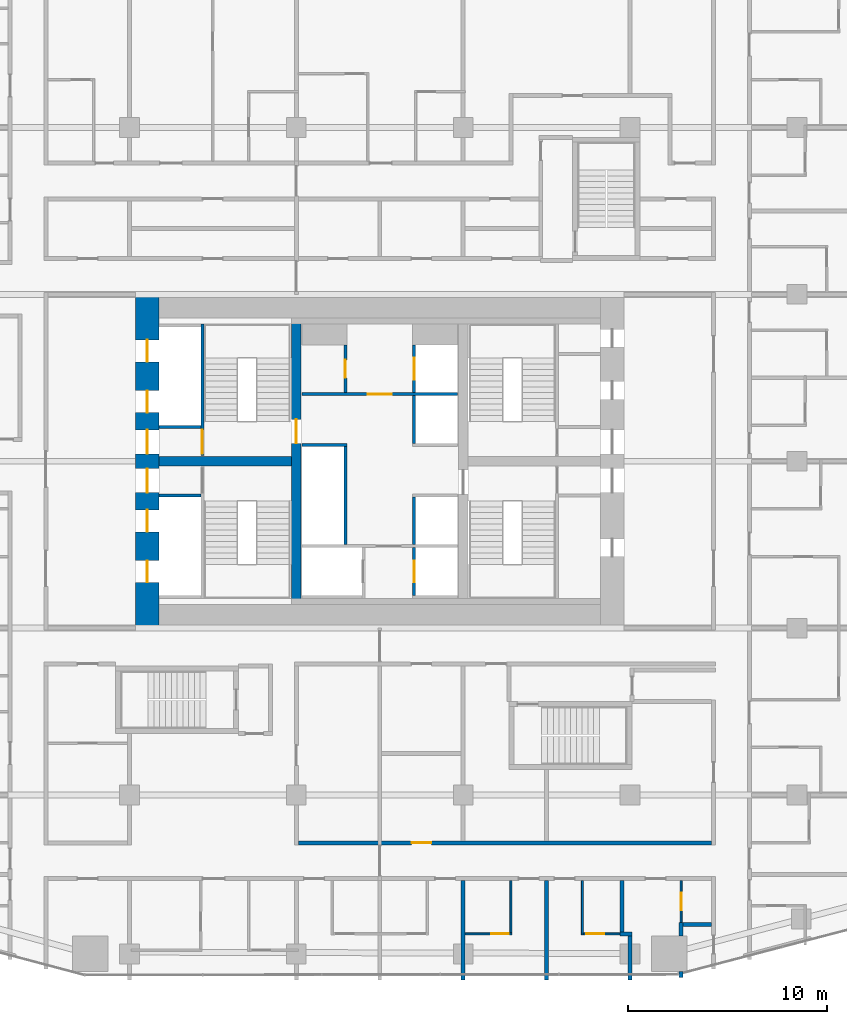
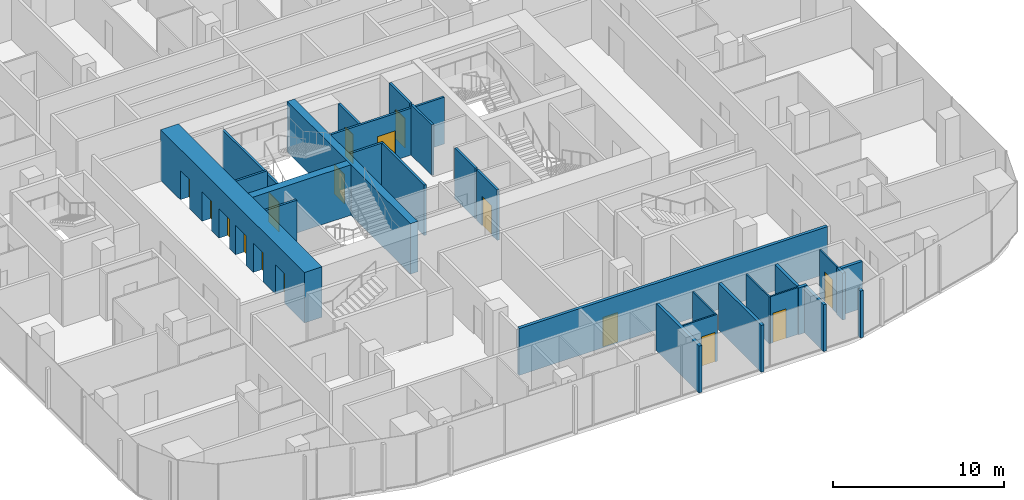
# One storey, part 18 of 26: 28 walls, 16 doors, 16 openings.
"""IFC4 building model written with IfcOpenShell, lengths in metres."""

from ifc_helpers import new_model, si_unit, direction, frame, frame_2d, origin, place, context, subcontext, project, spatial, rectangle, extrude, material, layer, layer_set, type_object, element, fill, save


model = new_model("IFC4")

# Units and contexts
model_context = context("Model", 3, precision=1e-05, world=origin(), true_north=direction((0.0, 1.0)))
body_context = subcontext(model_context, "Body", "Model", "MODEL_VIEW")
ifc_project = project(units=[si_unit("LENGTHUNIT", "METRE"), si_unit("AREAUNIT", "SQUARE_METRE"), si_unit("VOLUMEUNIT", "CUBIC_METRE"), si_unit("PLANEANGLEUNIT", "RADIAN"), si_unit("MASSUNIT", "GRAM", prefix="KILO")], contexts=[model_context])

# Site, building, storey
site_placement = place(None, origin())
site = spatial("IfcSite", under=ifc_project, at=site_placement, CompositionType="ELEMENT")
building_placement = place(site_placement, origin())
building = spatial("IfcBuilding", under=site, at=building_placement, Name="Marenta Gate Hotel Tower", CompositionType="ELEMENT")
storey_placement = place(building_placement, frame((0.0, 0.0, 65.300048828125)))
storey = spatial("IfcBuildingStorey", under=building, at=storey_placement, Name="L14", CompositionType="ELEMENT", Elevation=65.300048828125)

# Wall, opening, door
ifc_material_1 = material(Name="Concrete blockwork", Category="masonry")
ifc_layer_1 = layer(ifc_material_1, 0.14990234375)
ifc_layer_set_1 = layer_set([ifc_layer_1], Name="Concrete blockwork")
wall_type_1 = type_object("IfcWallType", Name="Core lobby partition 150 REI 180", PredefinedType="PARTITIONING", material=ifc_layer_set_1)
wall_1_placement = place(storey_placement, frame((-3.89990234375, 11.77490234375, 0.0), z_axis=(0.0, 0.0, 1.0), x_axis=(1.0, 0.0, 0.0)))
wall_1 = element("IfcWall", 1, at=wall_1_placement, inside=storey, type_object=wall_type_1, Name="L14-CP-CW-N", PredefinedType="PARTITIONING", context=body_context, shape_type="SweptSolid", body=[
    extrude(rectangle(XDim=7.7998046875, YDim=0.14990234375, at=frame_2d((3.89990234375, 0.0))), origin(), (0.0, 0.0, 1.0), 3.33984375),
])
opening_1_placement = place(wall_1_placement, frame((3.300048828125, 0.0, 0.0)))
opening_1 = element("IfcOpeningElement", 2, at=opening_1_placement, cuts=wall_1, Name="Opening FD-FFN", PredefinedType="OPENING", context=body_context, shape_type="SweptSolid", body=[
    extrude(rectangle(XDim=1.199951171875, YDim=2.10009765625, at=frame_2d((0.60009765625, 1.050048828125))), frame((0.0, 0.074951171875, 0.0), z_axis=(0.0, -1.0, 0.0), x_axis=(1.0, 0.0, 0.0)), (0.0, 0.0, 1.0), 0.14990234375),
])
ifc_material_2 = material(Name="Steel", Category="steel")
door_type_1 = type_object("IfcDoorType", Name="Core lobby door 1200x2100 FD60", OperationType="SINGLE_SWING_LEFT", PredefinedType="DOOR", material=ifc_material_2)
door_1_placement = place(opening_1_placement, origin())
door_1 = element("IfcDoor", 3, at=door_1_placement, inside=storey, type_object=door_type_1, Name="FD-FFN", OperationType="SINGLE_SWING_LEFT", OverallHeight=2.10009765625, OverallWidth=1.199951171875, PredefinedType="DOOR", context=body_context, shape_type="SweptSolid", body=[
    extrude(rectangle(XDim=1.199951171875, YDim=2.10009765625, at=frame_2d((0.60009765625, 1.050048828125))), frame((0.0, 0.02490234375, 0.0), z_axis=(0.0, -1.0, 0.0), x_axis=(1.0, 0.0, 0.0)), (0.0, 0.0, 1.0), 0.050048828125),
])
fill(opening_1, door_1)

ifc_material_3 = material(Name="Concrete blockwork", Category="masonry")
ifc_layer_2 = layer(ifc_material_3, 0.14990234375)
ifc_layer_set_2 = layer_set([ifc_layer_2], Name="Concrete blockwork")
wall_type_2 = type_object("IfcWallType", Name="Core room partition 150 REI 180", PredefinedType="PARTITIONING", material=ifc_layer_set_2)
wall_2_placement = place(storey_placement, frame((-1.72509765625, 11.85009765625, 0.0), z_axis=(0.0, 0.0, 1.0), x_axis=(0.0, 1.0, 0.0)))
wall_2 = element("IfcWall", 4, at=wall_2_placement, inside=storey, type_object=wall_type_2, Name="L14-CP-CW-W-riser-front", PredefinedType="PARTITIONING", context=body_context, shape_type="SweptSolid", body=[
    extrude(rectangle(XDim=2.39990234375, YDim=0.14990234375, at=frame_2d((1.199951171875, 0.0))), origin(), (0.0, 0.0, 1.0), 3.33984375),
])
opening_2_placement = place(wall_2_placement, frame((0.75, 0.0, 0.0)))
opening_2 = element("IfcOpeningElement", 5, at=opening_2_placement, cuts=wall_2, Name="Opening RD-CRISER", PredefinedType="OPENING", context=body_context, shape_type="SweptSolid", body=[
    extrude(rectangle(XDim=0.89990234375, YDim=2.10009765625, at=frame_2d((0.449951171875, 1.050048828125))), frame((0.0, 0.074951171875, 0.0), z_axis=(0.0, -1.0, 0.0), x_axis=(1.0, 0.0, 0.0)), (0.0, 0.0, 1.0), 0.14990234375),
])
ifc_material_4 = material(Name="Steel", Category="steel")
door_type_2 = type_object("IfcDoorType", Name="Core riser door 900x2100 FD60", OperationType="SINGLE_SWING_LEFT", PredefinedType="DOOR", material=ifc_material_4)
door_2_placement = place(opening_2_placement, origin())
door_2 = element("IfcDoor", 6, at=door_2_placement, inside=storey, type_object=door_type_2, Name="RD-CRISER", OperationType="SINGLE_SWING_LEFT", OverallHeight=2.10009765625, OverallWidth=0.89990234375, PredefinedType="DOOR", context=body_context, shape_type="SweptSolid", body=[
    extrude(rectangle(XDim=0.89990234375, YDim=2.10009765625, at=frame_2d((0.449951171875, 1.050048828125))), frame((0.0, 0.02490234375, 0.0), z_axis=(0.0, -1.0, 0.0), x_axis=(1.0, 0.0, 0.0)), (0.0, 0.0, 1.0), 0.050048828125),
])
fill(opening_2, door_2)

# Walls
ifc_material_5 = material(Name="Concrete C40", Category="concrete")
ifc_layer_3 = layer(ifc_material_5, 0.14990234375)
ifc_layer_set_3 = layer_set([ifc_layer_3], Name="Concrete C40")
wall_type_3 = type_object("IfcWallType", Name="Core shaft wall 150 REI 180", PredefinedType="SHEAR", material=ifc_layer_set_3)
for number, where, z_axis, x_axis, name in (
    (7, (-11.10009765625, 6.675048828125, 0.0), (0.0, 0.0, 1.0), (1.0, 0.0, 0.0), "L14-SHF-SW-WS-2"),
    (8, (-11.10009765625, 10.125, 0.0), (0.0, 0.0, 1.0), (1.0, 0.0, 0.0), "L14-SHF-SW-WN-2"),
):
    element("IfcWall", number, at=place(storey_placement, frame(where, z_axis=z_axis, x_axis=x_axis)), inside=storey, type_object=wall_type_3, Name=name, PredefinedType="SHEAR", context=body_context, shape_type="SweptSolid", body=[
        extrude(rectangle(XDim=2.10009765625, YDim=0.14990234375, at=frame_2d((1.050048828125, 0.0))), origin(), (0.0, 0.0, 1.0), 3.599853515625),
    ])
wall_3_placement = place(storey_placement, frame((-1.72509765625, 4.199951171875, 0.0), z_axis=(0.0, 0.0, 1.0), x_axis=(0.0, 1.0, 0.0)))
element("IfcWall", 9, at=wall_3_placement, inside=storey, type_object=wall_type_3, Name="L14-SHF-CW-W-front", PredefinedType="SHEAR", context=body_context, shape_type="SweptSolid", body=[
    extrude(rectangle(XDim=4.949951171875, YDim=0.14990234375, at=frame_2d((2.47509765625, 0.0))), origin(), (0.0, 0.0, 1.0), 3.599853515625),
])
wall_4_placement = place(storey_placement, frame((-3.89990234375, 9.22509765625, 0.0), z_axis=(0.0, 0.0, 1.0), x_axis=(1.0, 0.0, 0.0)))
element("IfcWall", 10, at=wall_4_placement, inside=storey, type_object=wall_type_3, Name="L14-SHF-CW-W-sep", PredefinedType="SHEAR", context=body_context, shape_type="SweptSolid", body=[
    extrude(rectangle(XDim=2.25, YDim=0.14990234375, at=frame_2d((1.125, 0.0))), origin(), (0.0, 0.0, 1.0), 3.599853515625),
])

# Wall, opening, door
wall_5_placement = place(storey_placement, frame((1.72509765625, 1.64990234375, 0.0), z_axis=(0.0, 0.0, 1.0), x_axis=(0.0, 1.0, 0.0)))
wall_5 = element("IfcWall", 11, at=wall_5_placement, inside=storey, type_object=wall_type_3, Name="L14-SHF-CE-S-ls", PredefinedType="SHEAR", context=body_context, shape_type="SweptSolid", body=[
    extrude(rectangle(XDim=2.400146484375, YDim=0.14990234375, at=frame_2d((1.2001953125, 0.0))), origin(), (0.0, 0.0, 1.0), 3.599853515625),
])
opening_3_placement = place(wall_5_placement, frame((0.64990234375, 0.0, 0.0)))
opening_3 = element("IfcOpeningElement", 12, at=opening_3_placement, cuts=wall_5, Name="Opening LD-SV1", PredefinedType="OPENING", context=body_context, shape_type="SweptSolid", body=[
    extrude(rectangle(XDim=1.10009765625, YDim=2.10009765625, at=frame_2d((0.550048828125, 1.050048828125))), frame((0.0, 0.074951171875, 0.0), z_axis=(0.0, -1.0, 0.0), x_axis=(1.0, 0.0, 0.0)), (0.0, 0.0, 1.0), 0.14990234375),
])
ifc_material_6 = material(Name="Steel", Category="steel")
door_type_3 = type_object("IfcDoorType", Name="Core lift landing door 1100x2100 E 60", OperationType="SLIDING_TO_LEFT", PredefinedType="DOOR", material=ifc_material_6)
door_3_placement = place(opening_3_placement, origin())
door_3 = element("IfcDoor", 13, at=door_3_placement, inside=storey, type_object=door_type_3, Name="LD-SV1", OperationType="SLIDING_TO_LEFT", OverallHeight=2.10009765625, OverallWidth=1.10009765625, PredefinedType="DOOR", context=body_context, shape_type="SweptSolid", body=[
    extrude(rectangle(XDim=1.10009765625, YDim=2.10009765625, at=frame_2d((0.550048828125, 1.050048828125))), frame((0.0, 0.02490234375, 0.0), z_axis=(0.0, -1.0, 0.0), x_axis=(1.0, 0.0, 0.0)), (0.0, 0.0, 1.0), 0.050048828125),
])
fill(opening_3, door_3)

wall_6_placement = place(storey_placement, frame((1.72509765625, 11.85009765625, 0.0), z_axis=(0.0, 0.0, 1.0), x_axis=(0.0, 1.0, 0.0)))
wall_6 = element("IfcWall", 14, at=wall_6_placement, inside=storey, type_object=wall_type_3, Name="L14-SHF-CE-N-front2", PredefinedType="SHEAR", context=body_context, shape_type="SweptSolid", body=[
    extrude(rectangle(XDim=2.39990234375, YDim=0.14990234375, at=frame_2d((1.199951171875, 0.0))), origin(), (0.0, 0.0, 1.0), 3.599853515625),
])
opening_4_placement = place(wall_6_placement, frame((0.64990234375, 0.0, 0.0)))
opening_4 = element("IfcOpeningElement", 15, at=opening_4_placement, cuts=wall_6, Name="Opening LD-FF2", PredefinedType="OPENING", context=body_context, shape_type="SweptSolid", body=[
    extrude(rectangle(XDim=1.10009765625, YDim=2.10009765625, at=frame_2d((0.550048828125, 1.050048828125))), frame((0.0, 0.074951171875, 0.0), z_axis=(0.0, -1.0, 0.0), x_axis=(1.0, 0.0, 0.0)), (0.0, 0.0, 1.0), 0.14990234375),
])
door_4_placement = place(opening_4_placement, origin())
door_4 = element("IfcDoor", 16, at=door_4_placement, inside=storey, type_object=door_type_3, Name="LD-FF2", OperationType="SLIDING_TO_LEFT", OverallHeight=2.10009765625, OverallWidth=1.10009765625, PredefinedType="DOOR", context=body_context, shape_type="SweptSolid", body=[
    extrude(rectangle(XDim=1.10009765625, YDim=2.10009765625, at=frame_2d((0.550048828125, 1.050048828125))), frame((0.0, 0.02490234375, 0.0), z_axis=(0.0, -1.0, 0.0), x_axis=(1.0, 0.0, 0.0)), (0.0, 0.0, 1.0), 0.050048828125),
])
fill(opening_4, door_4)

# Walls
wall_7_placement = place(storey_placement, frame((1.72509765625, 4.199951171875, 0.0), z_axis=(0.0, 0.0, 1.0), x_axis=(0.0, 1.0, 0.0)))
element("IfcWall", 17, at=wall_7_placement, inside=storey, type_object=wall_type_3, Name="L14-SHF-CE-front-1", PredefinedType="SHEAR", context=body_context, shape_type="SweptSolid", body=[
    extrude(rectangle(XDim=2.400146484375, YDim=0.14990234375, at=frame_2d((1.2001953125, 0.0))), origin(), (0.0, 0.0, 1.0), 3.599853515625),
])
wall_8_placement = place(storey_placement, frame((1.72509765625, 9.300048828125, 0.0), z_axis=(0.0, 0.0, 1.0), x_axis=(0.0, 1.0, 0.0)))
element("IfcWall", 18, at=wall_8_placement, inside=storey, type_object=wall_type_3, Name="L14-SHF-CE-front-2", PredefinedType="SHEAR", context=body_context, shape_type="SweptSolid", body=[
    extrude(rectangle(XDim=2.39990234375, YDim=0.14990234375, at=frame_2d((1.199951171875, 0.0))), origin(), (0.0, 0.0, 1.0), 3.599853515625),
])

# Wall, opening, door
ifc_material_7 = material(Name="Concrete C40", Category="concrete")
ifc_layer_4 = layer(ifc_material_7, 0.14990234375)
ifc_layer_set_4 = layer_set([ifc_layer_4], Name="Concrete C40")
wall_type_4 = type_object("IfcWallType", Name="Core stair enclosure wall 150 REI 180", PredefinedType="SHEAR", material=ifc_layer_set_4)
wall_9_placement = place(storey_placement, frame((-8.925048828125, 8.699951171875, 0.0), z_axis=(0.0, 0.0, 1.0), x_axis=(0.0, 1.0, 0.0)))
wall_9 = element("IfcWall", 19, at=wall_9_placement, inside=storey, type_object=wall_type_4, Name="L14-SHF-SW-WN-3", PredefinedType="SHEAR", context=body_context, shape_type="SweptSolid", body=[
    extrude(rectangle(XDim=6.60009765625, YDim=0.14990234375, at=frame_2d((3.300048828125, 0.0))), origin(), (0.0, 0.0, 1.0), 3.33984375),
])
opening_5_placement = place(wall_9_placement, frame((0.074951171875, 0.0, 0.0)))
opening_5 = element("IfcOpeningElement", 20, at=opening_5_placement, cuts=wall_9, Name="Opening SD-WN", PredefinedType="OPENING", context=body_context, shape_type="SweptSolid", body=[
    extrude(rectangle(XDim=1.199951171875, YDim=2.10009765625, at=frame_2d((0.60009765625, 1.050048828125))), frame((0.0, 0.074951171875, 0.0), z_axis=(0.0, -1.0, 0.0), x_axis=(1.0, 0.0, 0.0)), (0.0, 0.0, 1.0), 0.14990234375),
])
ifc_material_8 = material(Name="Steel", Category="steel")
door_type_4 = type_object("IfcDoorType", Name="Core stair door 1200x2100 FD60", OperationType="SINGLE_SWING_LEFT", PredefinedType="DOOR", material=ifc_material_8)
door_5_placement = place(opening_5_placement, origin())
door_5 = element("IfcDoor", 21, at=door_5_placement, inside=storey, type_object=door_type_4, Name="SD-WN", OperationType="SINGLE_SWING_LEFT", OverallHeight=2.10009765625, OverallWidth=1.199951171875, PredefinedType="DOOR", context=body_context, shape_type="SweptSolid", body=[
    extrude(rectangle(XDim=1.199951171875, YDim=2.10009765625, at=frame_2d((0.60009765625, 1.050048828125))), frame((0.0, 0.02490234375, 0.0), z_axis=(0.0, -1.0, 0.0), x_axis=(1.0, 0.0, 0.0)), (0.0, 0.0, 1.0), 0.050048828125),
])
fill(opening_5, door_5)

# Wall, openings, doors
ifc_material_9 = material(Name="Concrete C80", Category="concrete")
ifc_layer_5 = layer(ifc_material_9, 1.199951171875)
ifc_layer_set_5 = layer_set([ifc_layer_5], Name="Concrete C80")
wall_type_5 = type_object("IfcWallType", Name="Core wall 1200 C80", PredefinedType="SHEAR", material=ifc_layer_set_5)
wall_10_placement = place(storey_placement, frame((-11.699951171875, 0.0, 0.0), z_axis=(0.0, 0.0, 1.0), x_axis=(0.0, 1.0, 0.0)))
wall_10 = element("IfcWall", 22, at=wall_10_placement, inside=storey, type_object=wall_type_5, Name="L14-CORE-W", PredefinedType="SHEAR", context=body_context, shape_type="SweptSolid", body=[
    extrude(rectangle(XDim=16.800048828125, YDim=1.199951171875, at=frame_2d((8.39990234375, 0.0))), origin(), (0.0, 0.0, 1.0), 3.599853515625),
])
opening_6_placement = place(wall_10_placement, frame((2.300048828125, 0.0, 0.0)))
opening_6 = element("IfcOpeningElement", 23, at=opening_6_placement, cuts=wall_10, Name="Opening LD-LR1", PredefinedType="OPENING", context=body_context, shape_type="SweptSolid", body=[
    extrude(rectangle(XDim=1.10009765625, YDim=2.10009765625, at=frame_2d((0.550048828125, 1.050048828125))), frame((0.0, 0.60009765625, 0.0), z_axis=(0.0, -1.0, 0.0), x_axis=(1.0, 0.0, 0.0)), (0.0, 0.0, 1.0), 1.199951171875),
])
opening_7_placement = place(wall_10_placement, frame((4.85009765625, 0.0, 0.0)))
opening_7 = element("IfcOpeningElement", 24, at=opening_7_placement, cuts=wall_10, Name="Opening LD-LR2", PredefinedType="OPENING", context=body_context, shape_type="SweptSolid", body=[
    extrude(rectangle(XDim=1.10009765625, YDim=2.10009765625, at=frame_2d((0.550048828125, 1.050048828125))), frame((0.0, 0.60009765625, 0.0), z_axis=(0.0, -1.0, 0.0), x_axis=(1.0, 0.0, 0.0)), (0.0, 0.0, 1.0), 1.199951171875),
])
opening_8_placement = place(wall_10_placement, frame((6.824951171875, 0.0, 0.0)))
opening_8 = element("IfcOpeningElement", 25, at=opening_8_placement, cuts=wall_10, Name="Opening PD-WS", PredefinedType="OPENING", context=body_context, shape_type="SweptSolid", body=[
    extrude(rectangle(XDim=1.199951171875, YDim=2.10009765625, at=frame_2d((0.60009765625, 1.050048828125))), frame((0.0, 0.60009765625, 0.0), z_axis=(0.0, -1.0, 0.0), x_axis=(1.0, 0.0, 0.0)), (0.0, 0.0, 1.0), 1.199951171875),
])
opening_9_placement = place(wall_10_placement, frame((13.39990234375, 0.0, 0.0)))
opening_9 = element("IfcOpeningElement", 26, at=opening_9_placement, cuts=wall_10, Name="Opening LD-LR4", PredefinedType="OPENING", context=body_context, shape_type="SweptSolid", body=[
    extrude(rectangle(XDim=1.10009765625, YDim=2.10009765625, at=frame_2d((0.550048828125, 1.050048828125))), frame((0.0, 0.60009765625, 0.0), z_axis=(0.0, -1.0, 0.0), x_axis=(1.0, 0.0, 0.0)), (0.0, 0.0, 1.0), 1.199951171875),
])
opening_10_placement = place(wall_10_placement, frame((10.85009765625, 0.0, 0.0)))
opening_10 = element("IfcOpeningElement", 27, at=opening_10_placement, cuts=wall_10, Name="Opening LD-LR3", PredefinedType="OPENING", context=body_context, shape_type="SweptSolid", body=[
    extrude(rectangle(XDim=1.10009765625, YDim=2.10009765625, at=frame_2d((0.550048828125, 1.050048828125))), frame((0.0, 0.60009765625, 0.0), z_axis=(0.0, -1.0, 0.0), x_axis=(1.0, 0.0, 0.0)), (0.0, 0.0, 1.0), 1.199951171875),
])
opening_11_placement = place(wall_10_placement, frame((8.77490234375, 0.0, 0.0)))
opening_11 = element("IfcOpeningElement", 28, at=opening_11_placement, cuts=wall_10, Name="Opening PD-WN", PredefinedType="OPENING", context=body_context, shape_type="SweptSolid", body=[
    extrude(rectangle(XDim=1.199951171875, YDim=2.10009765625, at=frame_2d((0.60009765625, 1.050048828125))), frame((0.0, 0.60009765625, 0.0), z_axis=(0.0, -1.0, 0.0), x_axis=(1.0, 0.0, 0.0)), (0.0, 0.0, 1.0), 1.199951171875),
])
door_6_placement = place(opening_6_placement, origin())
door_6 = element("IfcDoor", 29, at=door_6_placement, inside=storey, type_object=door_type_3, Name="LD-LR1", OperationType="SLIDING_TO_LEFT", OverallHeight=2.10009765625, OverallWidth=1.10009765625, PredefinedType="DOOR", context=body_context, shape_type="SweptSolid", body=[
    extrude(rectangle(XDim=1.10009765625, YDim=2.10009765625, at=frame_2d((0.550048828125, 1.050048828125))), frame((0.0, 0.02490234375, 0.0), z_axis=(0.0, -1.0, 0.0), x_axis=(1.0, 0.0, 0.0)), (0.0, 0.0, 1.0), 0.050048828125),
])
fill(opening_6, door_6)
door_7_placement = place(opening_7_placement, origin())
door_7 = element("IfcDoor", 30, at=door_7_placement, inside=storey, type_object=door_type_3, Name="LD-LR2", OperationType="SLIDING_TO_LEFT", OverallHeight=2.10009765625, OverallWidth=1.10009765625, PredefinedType="DOOR", context=body_context, shape_type="SweptSolid", body=[
    extrude(rectangle(XDim=1.10009765625, YDim=2.10009765625, at=frame_2d((0.550048828125, 1.050048828125))), frame((0.0, 0.02490234375, 0.0), z_axis=(0.0, -1.0, 0.0), x_axis=(1.0, 0.0, 0.0)), (0.0, 0.0, 1.0), 0.050048828125),
])
fill(opening_7, door_7)
door_8_placement = place(opening_9_placement, origin())
door_8 = element("IfcDoor", 31, at=door_8_placement, inside=storey, type_object=door_type_3, Name="LD-LR4", OperationType="SLIDING_TO_LEFT", OverallHeight=2.10009765625, OverallWidth=1.10009765625, PredefinedType="DOOR", context=body_context, shape_type="SweptSolid", body=[
    extrude(rectangle(XDim=1.10009765625, YDim=2.10009765625, at=frame_2d((0.550048828125, 1.050048828125))), frame((0.0, 0.02490234375, 0.0), z_axis=(0.0, -1.0, 0.0), x_axis=(1.0, 0.0, 0.0)), (0.0, 0.0, 1.0), 0.050048828125),
])
fill(opening_9, door_8)
door_9_placement = place(opening_10_placement, origin())
door_9 = element("IfcDoor", 32, at=door_9_placement, inside=storey, type_object=door_type_3, Name="LD-LR3", OperationType="SLIDING_TO_LEFT", OverallHeight=2.10009765625, OverallWidth=1.10009765625, PredefinedType="DOOR", context=body_context, shape_type="SweptSolid", body=[
    extrude(rectangle(XDim=1.10009765625, YDim=2.10009765625, at=frame_2d((0.550048828125, 1.050048828125))), frame((0.0, 0.02490234375, 0.0), z_axis=(0.0, -1.0, 0.0), x_axis=(1.0, 0.0, 0.0)), (0.0, 0.0, 1.0), 0.050048828125),
])
fill(opening_10, door_9)
door_10_placement = place(opening_8_placement, origin())
door_10 = element("IfcDoor", 33, at=door_10_placement, inside=storey, type_object=door_type_1, Name="PD-WS", OperationType="SINGLE_SWING_LEFT", OverallHeight=2.10009765625, OverallWidth=1.199951171875, PredefinedType="DOOR", context=body_context, shape_type="SweptSolid", body=[
    extrude(rectangle(XDim=1.199951171875, YDim=2.10009765625, at=frame_2d((0.60009765625, 1.050048828125))), frame((0.0, 0.02490234375, 0.0), z_axis=(0.0, -1.0, 0.0), x_axis=(1.0, 0.0, 0.0)), (0.0, 0.0, 1.0), 0.050048828125),
])
fill(opening_8, door_10)
door_11_placement = place(opening_11_placement, origin())
door_11 = element("IfcDoor", 34, at=door_11_placement, inside=storey, type_object=door_type_1, Name="PD-WN", OperationType="SINGLE_SWING_LEFT", OverallHeight=2.10009765625, OverallWidth=1.199951171875, PredefinedType="DOOR", context=body_context, shape_type="SweptSolid", body=[
    extrude(rectangle(XDim=1.199951171875, YDim=2.10009765625, at=frame_2d((0.60009765625, 1.050048828125))), frame((0.0, 0.02490234375, 0.0), z_axis=(0.0, -1.0, 0.0), x_axis=(1.0, 0.0, 0.0)), (0.0, 0.0, 1.0), 0.050048828125),
])
fill(opening_11, door_11)

# Wall, opening, door
ifc_material_10 = material(Name="Concrete C80", Category="concrete")
ifc_layer_6 = layer(ifc_material_10, 0.5)
ifc_layer_set_6 = layer_set([ifc_layer_6], Name="Concrete C80")
wall_type_6 = type_object("IfcWallType", Name="Core web 500 C80", PredefinedType="SHEAR", material=ifc_layer_set_6)
wall_11_placement = place(storey_placement, frame((-4.199951171875, 1.199951171875, 0.0), z_axis=(0.0, 0.0, 1.0), x_axis=(0.0, 1.0, 0.0)))
wall_11 = element("IfcWall", 35, at=wall_11_placement, inside=storey, type_object=wall_type_6, Name="L14-CORE-W1", PredefinedType="SHEAR", context=body_context, shape_type="SweptSolid", body=[
    extrude(rectangle(XDim=14.400146484375, YDim=0.5, at=frame_2d((7.2001953125, 0.0))), origin(), (0.0, 0.0, 1.0), 3.599853515625),
])
opening_12_placement = place(wall_11_placement, frame((8.10009765625, 0.0, 0.0)))
opening_12 = element("IfcOpeningElement", 36, at=opening_12_placement, cuts=wall_11, Name="Opening WD-W", PredefinedType="OPENING", context=body_context, shape_type="SweptSolid", body=[
    extrude(rectangle(XDim=1.199951171875, YDim=2.10009765625, at=frame_2d((0.60009765625, 1.050048828125))), frame((0.0, 0.25, 0.0), z_axis=(0.0, -1.0, 0.0), x_axis=(1.0, 0.0, 0.0)), (0.0, 0.0, 1.0), 0.5),
])
door_12_placement = place(opening_12_placement, origin())
door_12 = element("IfcDoor", 37, at=door_12_placement, inside=storey, type_object=door_type_4, Name="WD-W", OperationType="SINGLE_SWING_LEFT", OverallHeight=2.10009765625, OverallWidth=1.199951171875, PredefinedType="DOOR", context=body_context, shape_type="SweptSolid", body=[
    extrude(rectangle(XDim=1.199951171875, YDim=2.10009765625, at=frame_2d((0.60009765625, 1.050048828125))), frame((0.0, 0.02490234375, 0.0), z_axis=(0.0, -1.0, 0.0), x_axis=(1.0, 0.0, 0.0)), (0.0, 0.0, 1.0), 0.050048828125),
])
fill(opening_12, door_12)

# Wall
wall_12_placement = place(storey_placement, frame((-11.10009765625, 8.39990234375, 0.0), z_axis=(0.0, 0.0, 1.0), x_axis=(1.0, 0.0, 0.0)))
element("IfcWall", 38, at=wall_12_placement, inside=storey, type_object=wall_type_6, Name="L14-CORE-W3", PredefinedType="SHEAR", context=body_context, shape_type="SweptSolid", body=[
    extrude(rectangle(XDim=6.650146484375, YDim=0.5, at=frame_2d((3.3251953125, 0.0))), origin(), (0.0, 0.0, 1.0), 3.599853515625),
])

# Wall, opening, door
ifc_material_11 = material(Name="Gypsum board on steel stud", Category="steel")
ifc_layer_7 = layer(ifc_material_11, 0.199951171875)
ifc_layer_set_7 = layer_set([ifc_layer_7], Name="Gypsum board on steel stud")
wall_type_7 = type_object("IfcWallType", Name="Room corridor wall 200 EI 60", PredefinedType="PARTITIONING", material=ifc_layer_set_7)
wall_13_placement = place(storey_placement, frame((-4.10009765625, -10.800048828125, 0.0), z_axis=(0.0, 0.0, 1.0), x_axis=(1.0, 0.0, 0.0)))
wall_13 = element("IfcWall", 39, at=wall_13_placement, inside=storey, type_object=wall_type_7, Name="L14-PTN-W041", PredefinedType="PARTITIONING", context=body_context, shape_type="SweptSolid", body=[
    extrude(rectangle(XDim=20.800048828125, YDim=0.199951171875, at=frame_2d((10.39990234375, 0.0))), origin(), (0.0, 0.0, 1.0), 3.33984375),
])
opening_13_placement = place(wall_13_placement, frame((5.699951171875, 0.0, 0.0)))
opening_13 = element("IfcOpeningElement", 40, at=opening_13_placement, cuts=wall_13, Name="Opening G05-79", PredefinedType="OPENING", context=body_context, shape_type="SweptSolid", body=[
    extrude(rectangle(XDim=1.0, YDim=2.10009765625, at=frame_2d((0.5, 1.050048828125))), frame((0.0, 0.10009765625, 0.0), z_axis=(0.0, -1.0, 0.0), x_axis=(1.0, 0.0, 0.0)), (0.0, 0.0, 1.0), 0.199951171875),
])
ifc_material_12 = material(Name="Timber door leaf", Category="wood")
door_type_5 = type_object("IfcDoorType", Name="Room amenity door 1000x2100 EI 30", OperationType="NOTDEFINED", PredefinedType="DOOR", material=ifc_material_12)
door_13_placement = place(opening_13_placement, origin())
door_13 = element("IfcDoor", 41, at=door_13_placement, inside=storey, type_object=door_type_5, Name="L14-PD-D079", OperationType="SINGLE_SWING_LEFT", OverallHeight=2.10009765625, OverallWidth=1.0, PredefinedType="DOOR", context=body_context, shape_type="SweptSolid", body=[
    extrude(rectangle(XDim=1.0, YDim=2.10009765625, at=frame_2d((0.5, 1.050048828125))), frame((0.0, 0.02490234375, 0.0), z_axis=(0.0, -1.0, 0.0), x_axis=(1.0, 0.0, 0.0)), (0.0, 0.0, 1.0), 0.050048828125),
])
fill(opening_13, door_13)

ifc_material_13 = material(Name="Gypsum board on steel stud", Category="steel")
ifc_layer_8 = layer(ifc_material_13, 0.10009765625)
ifc_layer_set_8 = layer_set([ifc_layer_8], Name="Gypsum board on steel stud")
wall_type_8 = type_object("IfcWallType", Name="Room partition 100", PredefinedType="PARTITIONING", material=ifc_layer_set_8)
wall_14_placement = place(storey_placement, frame((4.300048828125, -15.375, 0.0), z_axis=(0.0, 0.0, 1.0), x_axis=(1.0, 0.0, 0.0)))
wall_14 = element("IfcWall", 42, at=wall_14_placement, inside=storey, type_object=wall_type_8, Name="L14-PTN-W022", PredefinedType="PARTITIONING", context=body_context, shape_type="SweptSolid", body=[
    extrude(rectangle(XDim=2.349853515625, YDim=0.10009765625, at=frame_2d((1.1748046875, 0.0))), origin(), (0.0, 0.0, 1.0), 3.33984375),
])
opening_14_placement = place(wall_14_placement, frame((1.300048828125, 0.0, 0.0)))
opening_14 = element("IfcOpeningElement", 43, at=opening_14_placement, cuts=wall_14, Name="Opening G05-44", PredefinedType="OPENING", context=body_context, shape_type="SweptSolid", body=[
    extrude(rectangle(XDim=0.89990234375, YDim=2.10009765625, at=frame_2d((0.449951171875, 1.050048828125))), frame((0.0, 0.050048828125, 0.0), z_axis=(0.0, -1.0, 0.0), x_axis=(1.0, 0.0, 0.0)), (0.0, 0.0, 1.0), 0.10009765625),
])
ifc_material_14 = material(Name="Timber door leaf", Category="wood")
door_type_6 = type_object("IfcDoorType", Name="Guest bathroom door 900x2100", OperationType="NOTDEFINED", PredefinedType="DOOR", material=ifc_material_14)
door_14_placement = place(opening_14_placement, origin())
door_14 = element("IfcDoor", 44, at=door_14_placement, inside=storey, type_object=door_type_6, Name="L14-PD-D044", OperationType="SINGLE_SWING_RIGHT", OverallHeight=2.10009765625, OverallWidth=0.89990234375, PredefinedType="DOOR", context=body_context, shape_type="SweptSolid", body=[
    extrude(rectangle(XDim=0.89990234375, YDim=2.10009765625, at=frame_2d((0.449951171875, 1.050048828125))), frame((0.0, 0.02490234375, 0.0), z_axis=(0.0, -1.0, 0.0), x_axis=(1.0, 0.0, 0.0)), (0.0, 0.0, 1.0), 0.050048828125),
])
fill(opening_14, door_14)

wall_15_placement = place(storey_placement, frame((10.25, -15.375, 0.0), z_axis=(0.0, 0.0, 1.0), x_axis=(1.0, 0.0, 0.0)))
wall_15 = element("IfcWall", 45, at=wall_15_placement, inside=storey, type_object=wall_type_8, Name="L14-PTN-W023", PredefinedType="PARTITIONING", context=body_context, shape_type="SweptSolid", body=[
    extrude(rectangle(XDim=2.050048828125, YDim=0.10009765625, at=frame_2d((1.02490234375, 0.0))), origin(), (0.0, 0.0, 1.0), 3.33984375),
])
opening_15_placement = place(wall_15_placement, frame((0.14990234375, 0.0, 0.0)))
opening_15 = element("IfcOpeningElement", 46, at=opening_15_placement, cuts=wall_15, Name="Opening G05-46", PredefinedType="OPENING", context=body_context, shape_type="SweptSolid", body=[
    extrude(rectangle(XDim=0.89990234375, YDim=2.10009765625, at=frame_2d((0.449951171875, 1.050048828125))), frame((0.0, 0.050048828125, 0.0), z_axis=(0.0, -1.0, 0.0), x_axis=(1.0, 0.0, 0.0)), (0.0, 0.0, 1.0), 0.10009765625),
])
door_15_placement = place(opening_15_placement, origin())
door_15 = element("IfcDoor", 47, at=door_15_placement, inside=storey, type_object=door_type_6, Name="L14-PD-D046", OperationType="SINGLE_SWING_LEFT", OverallHeight=2.10009765625, OverallWidth=0.89990234375, PredefinedType="DOOR", context=body_context, shape_type="SweptSolid", body=[
    extrude(rectangle(XDim=0.89990234375, YDim=2.10009765625, at=frame_2d((0.449951171875, 1.050048828125))), frame((0.0, 0.02490234375, 0.0), z_axis=(0.0, -1.0, 0.0), x_axis=(1.0, 0.0, 0.0)), (0.0, 0.0, 1.0), 0.050048828125),
])
fill(opening_15, door_15)

wall_16_placement = place(storey_placement, frame((15.166015625, -15.0, 0.0), z_axis=(0.0, 0.0, 1.0), x_axis=(0.0, 1.0, 0.0)))
wall_16 = element("IfcWall", 48, at=wall_16_placement, inside=storey, type_object=wall_type_8, Name="L14-PTN-W026", PredefinedType="PARTITIONING", context=body_context, shape_type="SweptSolid", body=[
    extrude(rectangle(XDim=2.300048828125, YDim=0.10009765625, at=frame_2d((1.14990234375, 0.0))), origin(), (0.0, 0.0, 1.0), 3.33984375),
])
opening_16_placement = place(wall_16_placement, frame((0.800048828125, 0.0, 0.0)))
opening_16 = element("IfcOpeningElement", 49, at=opening_16_placement, cuts=wall_16, Name="Opening G05-84", PredefinedType="OPENING", context=body_context, shape_type="SweptSolid", body=[
    extrude(rectangle(XDim=0.89990234375, YDim=2.10009765625, at=frame_2d((0.449951171875, 1.050048828125))), frame((0.0, 0.050048828125, 0.0), z_axis=(0.0, -1.0, 0.0), x_axis=(1.0, 0.0, 0.0)), (0.0, 0.0, 1.0), 0.10009765625),
])
door_16_placement = place(opening_16_placement, origin())
door_16 = element("IfcDoor", 50, at=door_16_placement, inside=storey, type_object=door_type_6, Name="L14-PD-D084", OperationType="SINGLE_SWING_RIGHT", OverallHeight=2.10009765625, OverallWidth=0.89990234375, PredefinedType="DOOR", context=body_context, shape_type="SweptSolid", body=[
    extrude(rectangle(XDim=0.89990234375, YDim=2.10009765625, at=frame_2d((0.449951171875, 1.050048828125))), frame((0.0, 0.02490234375, 0.0), z_axis=(0.0, -1.0, 0.0), x_axis=(1.0, 0.0, 0.0)), (0.0, 0.0, 1.0), 0.050048828125),
])
fill(opening_16, door_16)

# Walls
wall_17_placement = place(storey_placement, frame((10.199951171875, -15.425048828125, 0.0), z_axis=(0.0, 0.0, 1.0), x_axis=(0.0, 1.0, 0.0)))
element("IfcWall", 51, at=wall_17_placement, inside=storey, type_object=wall_type_8, Name="L14-PTN-W042", PredefinedType="PARTITIONING", context=body_context, shape_type="SweptSolid", body=[
    extrude(rectangle(XDim=2.72509765625, YDim=0.10009765625, at=frame_2d((1.362548828125, 0.0))), origin(), (0.0, 0.0, 1.0), 3.33984375),
])
wall_18_placement = place(storey_placement, frame((6.60009765625, -15.324951171875, 0.0), z_axis=(0.0, 0.0, 1.0), x_axis=(0.0, 1.0, 0.0)))
element("IfcWall", 52, at=wall_18_placement, inside=storey, type_object=wall_type_8, Name="L14-PTN-W049", PredefinedType="PARTITIONING", context=body_context, shape_type="SweptSolid", body=[
    extrude(rectangle(XDim=2.625, YDim=0.10009765625, at=frame_2d((1.3125, 0.0))), origin(), (0.0, 0.0, 1.0), 3.33984375),
])
ifc_material_15 = material(Name="Concrete blockwork", Category="masonry")
ifc_layer_9 = layer(ifc_material_15, 0.199951171875)
ifc_layer_set_9 = layer_set([ifc_layer_9], Name="Concrete blockwork")
wall_type_9 = type_object("IfcWallType", Name="Room party wall 200 EI 120", PredefinedType="PARTITIONING", material=ifc_layer_set_9)
wall_19_placement = place(storey_placement, frame((15.166015625, -17.572998046875, 0.0), z_axis=(0.0, 0.0, 1.0), x_axis=(0.0, 1.0, 0.0)))
element("IfcWall", 53, at=wall_19_placement, inside=storey, type_object=wall_type_9, Name="L14-PTN-W025", PredefinedType="PARTITIONING", context=body_context, shape_type="SweptSolid", body=[
    extrude(rectangle(XDim=0.298095703125, YDim=0.199951171875, at=frame_2d((0.14892578125, 0.0))), origin(), (0.0, 0.0, 1.0), 3.33984375),
])
wall_20_placement = place(storey_placement, frame((15.166015625, -15.47509765625, 0.0), z_axis=(0.0, 0.0, 1.0), x_axis=(0.0, 1.0, 0.0)))
element("IfcWall", 54, at=wall_20_placement, inside=storey, type_object=wall_type_9, Name="L14-PTN-W154", PredefinedType="PARTITIONING", context=body_context, shape_type="SweptSolid", body=[
    extrude(rectangle(XDim=0.675048828125, YDim=0.199951171875, at=frame_2d((0.33740234375, 0.0))), origin(), (0.0, 0.0, 1.0), 3.33984375),
])
wall_21_placement = place(storey_placement, frame((15.216064453125, -14.89990234375, 0.0), z_axis=(0.0, 0.0, 1.0), x_axis=(1.0, 0.0, 0.0)))
element("IfcWall", 55, at=wall_21_placement, inside=storey, type_object=wall_type_9, Name="L14-PTN-W027", PredefinedType="PARTITIONING", context=body_context, shape_type="SweptSolid", body=[
    extrude(rectangle(XDim=1.48388671875, YDim=0.199951171875, at=frame_2d((0.741943359375, 0.0))), origin(), (0.0, 0.0, 1.0), 3.33984375),
])
ifc_material_16 = material(Name="Gypsum board on steel stud", Category="steel")
ifc_layer_10 = layer(ifc_material_16, 0.199951171875)
ifc_layer_set_10 = layer_set([ifc_layer_10], Name="Gypsum board on steel stud")
wall_type_10 = type_object("IfcWallType", Name="Room party wall 200 EI 60", PredefinedType="PARTITIONING", material=ifc_layer_set_10)
wall_22_placement = place(storey_placement, frame((12.10009765625, -15.375, 0.0), z_axis=(0.0, 0.0, 1.0), x_axis=(1.0, 0.0, 0.0)))
element("IfcWall", 56, at=wall_22_placement, inside=storey, type_object=wall_type_10, Name="L14-PTN-W024", PredefinedType="PARTITIONING", context=body_context, shape_type="SweptSolid", body=[
    extrude(rectangle(XDim=0.599853515625, YDim=0.199951171875, at=frame_2d((0.2998046875, 0.0))), origin(), (0.0, 0.0, 1.0), 3.33984375),
])
wall_23_placement = place(storey_placement, frame((12.60009765625, -17.699951171875, 0.0), z_axis=(0.0, 0.0, 1.0), x_axis=(0.0, 1.0, 0.0)))
element("IfcWall", 57, at=wall_23_placement, inside=storey, type_object=wall_type_10, Name="L14-PTN-W032", PredefinedType="PARTITIONING", context=body_context, shape_type="SweptSolid", body=[
    extrude(rectangle(XDim=2.224853515625, YDim=0.199951171875, at=frame_2d((1.1123046875, 0.0))), origin(), (0.0, 0.0, 1.0), 3.33984375),
])
wall_24_placement = place(storey_placement, frame((12.199951171875, -15.324951171875, 0.0), z_axis=(0.0, 0.0, 1.0), x_axis=(0.0, 1.0, 0.0)))
element("IfcWall", 58, at=wall_24_placement, inside=storey, type_object=wall_type_10, Name="L14-PTN-W037", PredefinedType="PARTITIONING", context=body_context, shape_type="SweptSolid", body=[
    extrude(rectangle(XDim=2.625, YDim=0.199951171875, at=frame_2d((1.3125, 0.0))), origin(), (0.0, 0.0, 1.0), 3.33984375),
])
for number, where, z_axis, x_axis, name in (
    (59, (8.39990234375, -17.699951171875, 0.0), (0.0, 0.0, 1.0), (0.0, 1.0, 0.0), "L14-PTN-W043"),
    (60, (4.199951171875, -17.699951171875, 0.0), (0.0, 0.0, 1.0), (0.0, 1.0, 0.0), "L14-PTN-W056"),
):
    element("IfcWall", number, at=place(storey_placement, frame(where, z_axis=z_axis, x_axis=x_axis)), inside=storey, type_object=wall_type_10, Name=name, PredefinedType="PARTITIONING", context=body_context, shape_type="SweptSolid", body=[
        extrude(rectangle(XDim=5.0, YDim=0.199951171875, at=frame_2d((2.5, 0.0))), origin(), (0.0, 0.0, 1.0), 3.33984375),
    ])

save(model, "model.ifc")
